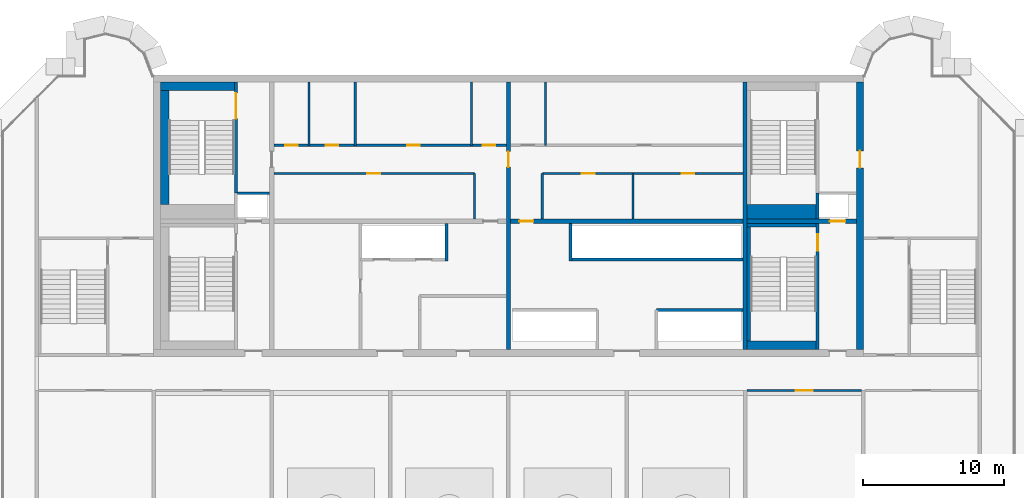
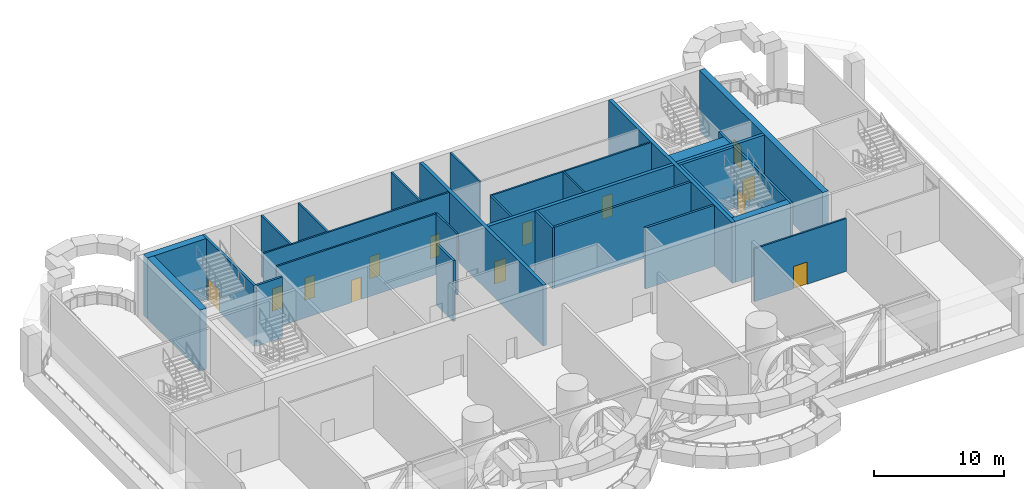
# One storey, part 4 of 15: 30 walls, 14 doors, 14 openings.
"""IFC4 building model written with IfcOpenShell, lengths in metres."""

from ifc_helpers import new_model, si_unit, direction, frame, frame_2d, origin, place, context, subcontext, project, spatial, rectangle, extrude, source, transform, mapped, material, layer, layer_set, type_object, element, fill, save


model = new_model("IFC4")

# Units and contexts
model_context = context("Model", 3, precision=1e-05, world=origin(), true_north=direction((0.0, 1.0)))
body_context = subcontext(model_context, "Body", "Model", "MODEL_VIEW")
ifc_project = project(units=[si_unit("LENGTHUNIT", "METRE"), si_unit("AREAUNIT", "SQUARE_METRE"), si_unit("VOLUMEUNIT", "CUBIC_METRE"), si_unit("PLANEANGLEUNIT", "RADIAN"), si_unit("MASSUNIT", "GRAM", prefix="KILO")], contexts=[model_context])

# Site, building, storey
site_placement = place(None, origin())
site = spatial("IfcSite", under=ifc_project, at=site_placement, CompositionType="ELEMENT")
building_placement = place(site_placement, origin())
building = spatial("IfcBuilding", under=site, at=building_placement, Name="Vanashikhar Sky Hotel", CompositionType="ELEMENT")
storey_placement = place(building_placement, frame((0.0, 0.0, 317.699951171875)))
storey = spatial("IfcBuildingStorey", under=building, at=storey_placement, Name="L76", CompositionType="ELEMENT", Elevation=317.699951171875)

# Wall, opening, door
ifc_material_1 = material(Name="Concrete M50", Category="concrete")
ifc_layer_1 = layer(ifc_material_1, 0.5)
ifc_layer_set_1 = layer_set([ifc_layer_1], Name="RC core shell wall 500 Concrete M50")
wall_type_1 = type_object("IfcWallType", Name="RC core shell wall 500 Concrete M50", PredefinedType="SHEAR", material=ifc_layer_set_1)
shared_shape_1 = source(origin(), body_context, "Body", "SweptSolid", [
    extrude(rectangle(XDim=19.0, YDim=0.5, at=frame_2d((9.5, 0.0))), origin(), (0.0, 0.0, 1.0), 5.719970703125),
])
wall_1_placement = place(storey_placement, frame((75.35009765625, 22.5, 0.0), z_axis=(0.0, 0.0, 1.0), x_axis=(0.0, 1.0, 0.0)))
wall_1 = element("IfcWall", 1, at=wall_1_placement, inside=storey, type_object=wall_type_1, Name="KW-L76-KE", PredefinedType="SHEAR", context=body_context, shape_type="MappedRepresentation", body=[
    mapped(shared_shape_1, transform((0.0, 0.0, 0.0), scale=1.0)),
])
shared_shape_2 = source(origin(), body_context, "Body", "SweptSolid", [
    extrude(rectangle(XDim=1.199951171875, YDim=2.10009765625, at=frame_2d((0.60009765625, 1.050048828125))), frame((0.0, 0.260009765625, 0.0), z_axis=(0.0, -1.0, 0.0), x_axis=(1.0, 0.0, 0.0)), (0.0, 0.0, 1.0), 0.52001953125),
])
opening_1_placement = place(wall_1_placement, frame((12.89990234375, 0.0, 0.0)))
opening_1 = element("IfcOpeningElement", 2, at=opening_1_placement, cuts=wall_1, Name="Opening DC-4-D", PredefinedType="OPENING", context=body_context, shape_type="MappedRepresentation", body=[
    mapped(shared_shape_2, transform((0.0, 0.0, 0.0), scale=1.0)),
])
ifc_material_2 = material(Name="Steel", Category="steel")
door_type_1 = type_object("IfcDoorType", Name="Service door 1200 FD120", OperationType="NOTDEFINED", PredefinedType="DOOR", material=ifc_material_2)
shared_shape_3 = source(origin(), body_context, "Body", "SweptSolid", [
    extrude(rectangle(XDim=1.199951171875, YDim=2.10009765625, at=frame_2d((0.60009765625, 1.050048828125))), frame((0.0, 0.02490234375, 0.0), z_axis=(0.0, -1.0, 0.0), x_axis=(1.0, 0.0, 0.0)), (0.0, 0.0, 1.0), 0.050048828125),
])
door_1_placement = place(opening_1_placement, origin())
door_1 = element("IfcDoor", 3, at=door_1_placement, inside=storey, type_object=door_type_1, Name="Service door 1200 FD120", OperationType="SINGLE_SWING_RIGHT", OverallHeight=2.10009765625, OverallWidth=1.199951171875, PredefinedType="DOOR", context=body_context, shape_type="MappedRepresentation", body=[
    mapped(shared_shape_3, transform((0.0, 0.0, 0.0), scale=1.0)),
])
fill(opening_1, door_1)

ifc_layer_2 = layer(ifc_material_1, 0.300048828125)
ifc_layer_set_2 = layer_set([ifc_layer_2], Name="RC core inner wall 300 Concrete M50")
wall_type_2 = type_object("IfcWallType", Name="RC core inner wall 300 Concrete M50", PredefinedType="SHEAR", material=ifc_layer_set_2)
shared_shape_4 = source(origin(), body_context, "Body", "SweptSolid", [
    extrude(rectangle(XDim=19.0, YDim=0.300048828125, at=frame_2d((9.5, 0.0))), origin(), (0.0, 0.0, 1.0), 5.719970703125),
])
wall_2_placement = place(storey_placement, frame((50.39990234375, 22.5, 0.0), z_axis=(0.0, 0.0, 1.0), x_axis=(0.0, 1.0, 0.0)))
wall_2 = element("IfcWall", 4, at=wall_2_placement, inside=storey, type_object=wall_type_2, Name="KW-L76-KX2", PredefinedType="SHEAR", context=body_context, shape_type="MappedRepresentation", body=[
    mapped(shared_shape_4, transform((0.0, 0.0, 0.0), scale=1.0)),
])
shared_shape_5 = source(origin(), body_context, "Body", "SweptSolid", [
    extrude(rectangle(XDim=1.10009765625, YDim=2.10009765625, at=frame_2d((0.550048828125, 1.050048828125))), frame((0.0, 0.16015625, 0.0), z_axis=(0.0, -1.0, 0.0), x_axis=(1.0, 0.0, 0.0)), (0.0, 0.0, 1.0), 0.320068359375),
])
opening_2_placement = place(wall_2_placement, frame((12.949951171875, 0.0, 0.0)))
opening_2 = element("IfcOpeningElement", 5, at=opening_2_placement, cuts=wall_2, Name="Opening DC-4-C", PredefinedType="OPENING", context=body_context, shape_type="MappedRepresentation", body=[
    mapped(shared_shape_5, transform((0.0, 0.0, 0.0), scale=1.0)),
])
door_type_2 = type_object("IfcDoorType", Name="Service door 1100 FD60", OperationType="NOTDEFINED", PredefinedType="DOOR", material=ifc_material_2)
shared_shape_6 = source(origin(), body_context, "Body", "SweptSolid", [
    extrude(rectangle(XDim=1.10009765625, YDim=2.10009765625, at=frame_2d((0.550048828125, 1.050048828125))), frame((0.0, 0.02490234375, 0.0), z_axis=(0.0, -1.0, 0.0), x_axis=(1.0, 0.0, 0.0)), (0.0, 0.0, 1.0), 0.050048828125),
])
door_2_placement = place(opening_2_placement, origin())
door_2 = element("IfcDoor", 6, at=door_2_placement, inside=storey, type_object=door_type_2, Name="Service door 1100 FD60", OperationType="SINGLE_SWING_RIGHT", OverallHeight=2.10009765625, OverallWidth=1.10009765625, PredefinedType="DOOR", context=body_context, shape_type="MappedRepresentation", body=[
    mapped(shared_shape_6, transform((0.0, 0.0, 0.0), scale=1.0)),
])
fill(opening_2, door_2)

# Wall
wall_3_placement = place(storey_placement, frame((67.199951171875, 22.5, 0.0), z_axis=(0.0, 0.0, 1.0), x_axis=(0.0, 1.0, 0.0)))
element("IfcWall", 7, at=wall_3_placement, inside=storey, type_object=wall_type_2, Name="KW-L76-KX3", PredefinedType="SHEAR", context=body_context, shape_type="MappedRepresentation", body=[
    mapped(shared_shape_4, transform((0.0, 0.0, 0.0), scale=1.0)),
])

# Wall, opening, door
shared_shape_7 = source(origin(), body_context, "Body", "SweptSolid", [
    extrude(rectangle(XDim=7.75, YDim=0.300048828125, at=frame_2d((3.875, 0.0))), origin(), (0.0, 0.0, 1.0), 5.719970703125),
])
wall_4_placement = place(storey_placement, frame((67.35009765625, 31.60009765625, 0.0), z_axis=(0.0, 0.0, 1.0), x_axis=(1.0, 0.0, 0.0)))
wall_4 = element("IfcWall", 8, at=wall_4_placement, inside=storey, type_object=wall_type_2, Name="KW-L76-KY4", PredefinedType="SHEAR", context=body_context, shape_type="MappedRepresentation", body=[
    mapped(shared_shape_7, transform((0.0, 0.0, 0.0), scale=1.0)),
])
opening_3_placement = place(wall_4_placement, frame((5.875, 0.0, 0.0)))
opening_3 = element("IfcOpeningElement", 9, at=opening_3_placement, cuts=wall_4, Name="Opening LD", PredefinedType="OPENING", context=body_context, shape_type="MappedRepresentation", body=[
    mapped(shared_shape_5, transform((0.0, 0.0, 0.0), scale=1.0)),
])
ifc_material_3 = material(Name="Stainless steel", Category="steel")
door_type_3 = type_object("IfcDoorType", Name="Lift landing door 1100", OperationType="NOTDEFINED", PredefinedType="DOOR", material=ifc_material_3)
door_3_placement = place(opening_3_placement, origin())
door_3 = element("IfcDoor", 10, at=door_3_placement, inside=storey, type_object=door_type_3, Name="Lift landing door 1100", OperationType="SLIDING_TO_RIGHT", OverallHeight=2.10009765625, OverallWidth=1.10009765625, PredefinedType="DOOR", context=body_context, shape_type="MappedRepresentation", body=[
    mapped(shared_shape_6, transform((0.0, 0.0, 0.0), scale=1.0)),
])
fill(opening_3, door_3)

shared_shape_8 = source(origin(), body_context, "Body", "SweptSolid", [
    extrude(rectangle(XDim=16.5, YDim=0.300048828125, at=frame_2d((8.25, 0.0))), origin(), (0.0, 0.0, 1.0), 5.719970703125),
])
wall_5_placement = place(storey_placement, frame((50.550048828125, 31.60009765625, 0.0), z_axis=(0.0, 0.0, 1.0), x_axis=(1.0, 0.0, 0.0)))
wall_5 = element("IfcWall", 11, at=wall_5_placement, inside=storey, type_object=wall_type_2, Name="KW-L76-KY3", PredefinedType="SHEAR", context=body_context, shape_type="MappedRepresentation", body=[
    mapped(shared_shape_8, transform((0.0, 0.0, 0.0), scale=1.0)),
])
shared_shape_9 = source(origin(), body_context, "Body", "SweptSolid", [
    extrude(rectangle(XDim=1.0, YDim=2.10009765625, at=frame_2d((0.5, 1.050048828125))), frame((0.0, 0.16015625, 0.0), z_axis=(0.0, -1.0, 0.0), x_axis=(1.0, 0.0, 0.0)), (0.0, 0.0, 1.0), 0.320068359375),
])
opening_4_placement = place(wall_5_placement, frame((0.625, 0.0, 0.0)))
opening_4 = element("IfcOpeningElement", 12, at=opening_4_placement, cuts=wall_5, Name="Opening DC-4", PredefinedType="OPENING", context=body_context, shape_type="MappedRepresentation", body=[
    mapped(shared_shape_9, transform((0.0, 0.0, 0.0), scale=1.0)),
])
door_type_4 = type_object("IfcDoorType", Name="Service door 1000 FD60", OperationType="NOTDEFINED", PredefinedType="DOOR", material=ifc_material_2)
shared_shape_10 = source(origin(), body_context, "Body", "SweptSolid", [
    extrude(rectangle(XDim=1.0, YDim=2.10009765625, at=frame_2d((0.5, 1.050048828125))), frame((0.0, 0.02490234375, 0.0), z_axis=(0.0, -1.0, 0.0), x_axis=(1.0, 0.0, 0.0)), (0.0, 0.0, 1.0), 0.050048828125),
])
door_4_placement = place(opening_4_placement, origin())
door_4 = element("IfcDoor", 13, at=door_4_placement, inside=storey, type_object=door_type_4, Name="Service door 1000 FD60", OperationType="SINGLE_SWING_RIGHT", OverallHeight=2.10009765625, OverallWidth=1.0, PredefinedType="DOOR", context=body_context, shape_type="MappedRepresentation", body=[
    mapped(shared_shape_10, transform((0.0, 0.0, 0.0), scale=1.0)),
])
fill(opening_4, door_4)

# Walls
ifc_material_4 = material(Name="Concrete M40", Category="concrete")
ifc_layer_3 = layer(ifc_material_4, 0.199951171875)
ifc_layer_set_3 = layer_set([ifc_layer_3], Name="Shaft wall 200")
wall_type_3 = type_object("IfcWallType", Name="Shaft wall 200", PredefinedType="SOLIDWALL", material=ifc_layer_set_3)
shared_shape_11 = source(origin(), body_context, "Body", "SweptSolid", [
    extrude(rectangle(XDim=2.64990234375, YDim=0.199951171875, at=frame_2d((1.324951171875, 0.0))), origin(), (0.0, 0.0, 1.0), 5.719970703125),
])
for number, where, z_axis, x_axis, name in (
    (14, (46.0, 28.800048828125, 0.0), (0.0, 0.0, 1.0), (0.0, 1.0, 0.0), "Shaft wall 200"),
    (15, (54.800048828125, 28.800048828125, 0.0), (0.0, 0.0, 1.0), (0.0, 1.0, 0.0), "Shaft wall 200"),
):
    element("IfcWall", number, at=place(storey_placement, frame(where, z_axis=z_axis, x_axis=x_axis)), inside=storey, type_object=wall_type_3, Name=name, PredefinedType="SOLIDWALL", context=body_context, shape_type="MappedRepresentation", body=[
        mapped(shared_shape_11, transform((0.0, 0.0, 0.0), scale=1.0)),
    ])
ifc_material_5 = material(Name="Gypsum board partition")
ifc_layer_4 = layer(ifc_material_5, 0.14990234375)
ifc_layer_set_4 = layer_set([ifc_layer_4], Name="Service partition 150")
wall_type_4 = type_object("IfcWallType", Name="Service partition 150", PredefinedType="PARTITIONING", material=ifc_layer_set_4)
shared_shape_12 = source(origin(), body_context, "Body", "SweptSolid", [
    extrude(rectangle(XDim=3.25, YDim=0.14990234375, at=frame_2d((1.625, 0.0))), origin(), (0.0, 0.0, 1.0), 5.719970703125),
])
for number, where, z_axis, x_axis, name in (
    (16, (48.0, 31.75, 0.0), (0.0, 0.0, 1.0), (0.0, 1.0, 0.0), "Service partition 150"),
    (17, (52.800048828125, 31.75, 0.0), (0.0, 0.0, 1.0), (0.0, 1.0, 0.0), "Service partition 150"),
    (18, (59.25390625, 31.75, 0.0), (0.0, 0.0, 1.0), (0.0, 1.0, 0.0), "Service partition 150"),
):
    element("IfcWall", number, at=place(storey_placement, frame(where, z_axis=z_axis, x_axis=x_axis)), inside=storey, type_object=wall_type_4, Name=name, PredefinedType="PARTITIONING", context=body_context, shape_type="MappedRepresentation", body=[
        mapped(shared_shape_12, transform((0.0, 0.0, 0.0), scale=1.0)),
    ])

# Wall, opening, door
shared_shape_13 = source(origin(), body_context, "Body", "SweptSolid", [
    extrude(rectangle(XDim=14.25, YDim=0.14990234375, at=frame_2d((7.125, 0.0))), origin(), (0.0, 0.0, 1.0), 5.719970703125),
])
wall_6_placement = place(storey_placement, frame((33.75, 35.0, 0.0), z_axis=(0.0, 0.0, 1.0), x_axis=(1.0, 0.0, 0.0)))
wall_6 = element("IfcWall", 19, at=wall_6_placement, inside=storey, type_object=wall_type_4, Name="Service partition 150", PredefinedType="PARTITIONING", context=body_context, shape_type="MappedRepresentation", body=[
    mapped(shared_shape_13, transform((0.0, 0.0, 0.0), scale=1.0)),
])
shared_shape_14 = source(origin(), body_context, "Body", "SweptSolid", [
    extrude(rectangle(XDim=0.89990234375, YDim=2.10009765625, at=frame_2d((0.449951171875, 1.050048828125))), frame((0.0, 0.0849609375, 0.0), z_axis=(0.0, -1.0, 0.0), x_axis=(1.0, 0.0, 0.0)), (0.0, 0.0, 1.0), 0.169921875),
])
opening_5_placement = place(wall_6_placement, frame((6.636962890625, 0.0, 0.0)))
opening_5 = element("IfcOpeningElement", 20, at=opening_5_placement, cuts=wall_6, Name="Opening DC-4-A", PredefinedType="OPENING", context=body_context, shape_type="MappedRepresentation", body=[
    mapped(shared_shape_14, transform((0.0, 0.0, 0.0), scale=1.0)),
])
door_type_5 = type_object("IfcDoorType", Name="Service door 900 FD60", OperationType="NOTDEFINED", PredefinedType="DOOR", material=ifc_material_2)
shared_shape_15 = source(origin(), body_context, "Body", "SweptSolid", [
    extrude(rectangle(XDim=0.89990234375, YDim=2.10009765625, at=frame_2d((0.449951171875, 1.050048828125))), frame((0.0, 0.02490234375, 0.0), z_axis=(0.0, -1.0, 0.0), x_axis=(1.0, 0.0, 0.0)), (0.0, 0.0, 1.0), 0.050048828125),
])
door_5_placement = place(opening_5_placement, origin())
door_5 = element("IfcDoor", 21, at=door_5_placement, inside=storey, type_object=door_type_5, Name="Service door 900 FD60", OperationType="SINGLE_SWING_LEFT", OverallHeight=2.10009765625, OverallWidth=0.89990234375, PredefinedType="DOOR", context=body_context, shape_type="MappedRepresentation", body=[
    mapped(shared_shape_15, transform((0.0, 0.0, 0.0), scale=1.0)),
])
fill(opening_5, door_5)

# Wall, openings, doors
wall_7_placement = place(storey_placement, frame((67.050048828125, 35.0, 0.0), z_axis=(0.0, 0.0, 1.0), x_axis=(-1.0, 0.0, 0.0)))
wall_7 = element("IfcWall", 22, at=wall_7_placement, inside=storey, type_object=wall_type_4, Name="Service partition 150", PredefinedType="PARTITIONING", context=body_context, shape_type="MappedRepresentation", body=[
    mapped(shared_shape_13, transform((0.0, 0.0, 0.0), scale=1.0)),
])
opening_6_placement = place(wall_7_placement, frame((3.447998046875, 0.0, 0.0)))
opening_6 = element("IfcOpeningElement", 23, at=opening_6_placement, cuts=wall_7, Name="Opening DC-4-A", PredefinedType="OPENING", context=body_context, shape_type="MappedRepresentation", body=[
    mapped(shared_shape_14, transform((0.0, 0.0, 0.0), scale=1.0)),
])
opening_7_placement = place(wall_7_placement, frame((10.535888671875, 0.0, 0.0)))
opening_7 = element("IfcOpeningElement", 24, at=opening_7_placement, cuts=wall_7, Name="Opening DC-4-A", PredefinedType="OPENING", context=body_context, shape_type="MappedRepresentation", body=[
    mapped(shared_shape_14, transform((0.0, 0.0, 0.0), scale=1.0)),
])
door_6_placement = place(opening_6_placement, origin())
door_6 = element("IfcDoor", 25, at=door_6_placement, inside=storey, type_object=door_type_5, Name="Service door 900 FD60", OperationType="SINGLE_SWING_RIGHT", OverallHeight=2.10009765625, OverallWidth=0.89990234375, PredefinedType="DOOR", context=body_context, shape_type="MappedRepresentation", body=[
    mapped(shared_shape_15, transform((0.0, 0.0, 0.0), scale=1.0)),
])
fill(opening_6, door_6)
door_7_placement = place(opening_7_placement, origin())
door_7 = element("IfcDoor", 26, at=door_7_placement, inside=storey, type_object=door_type_5, Name="Service door 900 FD60", OperationType="SINGLE_SWING_RIGHT", OverallHeight=2.10009765625, OverallWidth=0.89990234375, PredefinedType="DOOR", context=body_context, shape_type="MappedRepresentation", body=[
    mapped(shared_shape_15, transform((0.0, 0.0, 0.0), scale=1.0)),
])
fill(opening_7, door_7)

shared_shape_16 = source(origin(), body_context, "Body", "SweptSolid", [
    extrude(rectangle(XDim=16.5, YDim=0.14990234375, at=frame_2d((8.25, 0.0))), origin(), (0.0, 0.0, 1.0), 5.719970703125),
])
wall_8_placement = place(storey_placement, frame((33.75, 37.0, 0.0), z_axis=(0.0, 0.0, 1.0), x_axis=(1.0, 0.0, 0.0)))
wall_8 = element("IfcWall", 27, at=wall_8_placement, inside=storey, type_object=wall_type_4, Name="Service partition 150", PredefinedType="PARTITIONING", context=body_context, shape_type="MappedRepresentation", body=[
    mapped(shared_shape_16, transform((0.0, 0.0, 0.0), scale=1.0)),
])
opening_8_placement = place(wall_8_placement, frame((0.787109375, 0.0, 0.0)))
opening_8 = element("IfcOpeningElement", 28, at=opening_8_placement, cuts=wall_8, Name="Opening DC-4-A", PredefinedType="OPENING", context=body_context, shape_type="MappedRepresentation", body=[
    mapped(shared_shape_14, transform((0.0, 0.0, 0.0), scale=1.0)),
])
opening_9_placement = place(wall_8_placement, frame((3.675048828125, 0.0, 0.0)))
opening_9 = element("IfcOpeningElement", 29, at=opening_9_placement, cuts=wall_8, Name="Opening DC-4-A", PredefinedType="OPENING", context=body_context, shape_type="MappedRepresentation", body=[
    mapped(shared_shape_14, transform((0.0, 0.0, 0.0), scale=1.0)),
])
opening_10_placement = place(wall_8_placement, frame((9.449951171875, 0.0, 0.0)))
opening_10 = element("IfcOpeningElement", 30, at=opening_10_placement, cuts=wall_8, Name="Opening DC-4-A", PredefinedType="OPENING", context=body_context, shape_type="MappedRepresentation", body=[
    mapped(shared_shape_14, transform((0.0, 0.0, 0.0), scale=1.0)),
])
opening_11_placement = place(wall_8_placement, frame((14.81298828125, 0.0, 0.0)))
opening_11 = element("IfcOpeningElement", 31, at=opening_11_placement, cuts=wall_8, Name="Opening DC-4-A", PredefinedType="OPENING", context=body_context, shape_type="MappedRepresentation", body=[
    mapped(shared_shape_14, transform((0.0, 0.0, 0.0), scale=1.0)),
])
door_8_placement = place(opening_8_placement, origin())
door_8 = element("IfcDoor", 32, at=door_8_placement, inside=storey, type_object=door_type_5, Name="Service door 900 FD60", OperationType="SINGLE_SWING_RIGHT", OverallHeight=2.10009765625, OverallWidth=0.89990234375, PredefinedType="DOOR", context=body_context, shape_type="MappedRepresentation", body=[
    mapped(shared_shape_15, transform((0.0, 0.0, 0.0), scale=1.0)),
])
fill(opening_8, door_8)
door_9_placement = place(opening_9_placement, origin())
door_9 = element("IfcDoor", 33, at=door_9_placement, inside=storey, type_object=door_type_5, Name="Service door 900 FD60", OperationType="SINGLE_SWING_RIGHT", OverallHeight=2.10009765625, OverallWidth=0.89990234375, PredefinedType="DOOR", context=body_context, shape_type="MappedRepresentation", body=[
    mapped(shared_shape_15, transform((0.0, 0.0, 0.0), scale=1.0)),
])
fill(opening_9, door_9)
door_10_placement = place(opening_10_placement, origin())
door_10 = element("IfcDoor", 34, at=door_10_placement, inside=storey, type_object=door_type_5, Name="Service door 900 FD60", OperationType="SINGLE_SWING_RIGHT", OverallHeight=2.10009765625, OverallWidth=0.89990234375, PredefinedType="DOOR", context=body_context, shape_type="MappedRepresentation", body=[
    mapped(shared_shape_15, transform((0.0, 0.0, 0.0), scale=1.0)),
])
fill(opening_10, door_10)
door_11_placement = place(opening_11_placement, origin())
door_11 = element("IfcDoor", 35, at=door_11_placement, inside=storey, type_object=door_type_5, Name="Service door 900 FD60", OperationType="SINGLE_SWING_LEFT", OverallHeight=2.10009765625, OverallWidth=0.89990234375, PredefinedType="DOOR", context=body_context, shape_type="MappedRepresentation", body=[
    mapped(shared_shape_15, transform((0.0, 0.0, 0.0), scale=1.0)),
])
fill(opening_11, door_11)

# Walls
shared_shape_17 = source(origin(), body_context, "Body", "SweptSolid", [
    extrude(rectangle(XDim=4.5, YDim=0.14990234375, at=frame_2d((2.25, 0.0))), origin(), (0.0, 0.0, 1.0), 5.719970703125),
])
for number, where, z_axis, x_axis, name in (
    (36, (36.22509765625, 37.0, 0.0), (0.0, 0.0, 1.0), (0.0, 1.0, 0.0), "Service partition 150"),
    (37, (39.52490234375, 37.0, 0.0), (0.0, 0.0, 1.0), (0.0, 1.0, 0.0), "Service partition 150"),
    (38, (47.77490234375, 37.0, 0.0), (0.0, 0.0, 1.0), (0.0, 1.0, 0.0), "Service partition 150"),
    (39, (53.02490234375, 37.0, 0.0), (0.0, 0.0, 1.0), (0.0, 1.0, 0.0), "Service partition 150"),
):
    element("IfcWall", number, at=place(storey_placement, frame(where, z_axis=z_axis, x_axis=x_axis)), inside=storey, type_object=wall_type_4, Name=name, PredefinedType="PARTITIONING", context=body_context, shape_type="MappedRepresentation", body=[
        mapped(shared_shape_17, transform((0.0, 0.0, 0.0), scale=1.0)),
    ])
shared_shape_18 = source(origin(), body_context, "Body", "SweptSolid", [
    extrude(rectangle(XDim=6.150146484375, YDim=0.199951171875, at=frame_2d((3.0751953125, 0.0))), origin(), (0.0, 0.0, 1.0), 5.719970703125),
])
wall_9_placement = place(storey_placement, frame((67.050048828125, 25.300048828125, 0.0), z_axis=(0.0, 0.0, 1.0), x_axis=(-1.0, 0.0, 0.0)))
element("IfcWall", 40, at=wall_9_placement, inside=storey, type_object=wall_type_3, Name="Shaft wall 200", PredefinedType="SOLIDWALL", context=body_context, shape_type="MappedRepresentation", body=[
    mapped(shared_shape_18, transform((0.0, 0.0, 0.0), scale=1.0)),
])
shared_shape_19 = source(origin(), body_context, "Body", "SweptSolid", [
    extrude(rectangle(XDim=12.150146484375, YDim=0.199951171875, at=frame_2d((6.0751953125, 0.0))), origin(), (0.0, 0.0, 1.0), 5.719970703125),
])
wall_10_placement = place(storey_placement, frame((67.050048828125, 28.89990234375, 0.0), z_axis=(0.0, 0.0, 1.0), x_axis=(-1.0, 0.0, 0.0)))
element("IfcWall", 41, at=wall_10_placement, inside=storey, type_object=wall_type_3, Name="Shaft wall 200", PredefinedType="SOLIDWALL", context=body_context, shape_type="MappedRepresentation", body=[
    mapped(shared_shape_19, transform((0.0, 0.0, 0.0), scale=1.0)),
])

# Wall, opening, door
ifc_layer_5 = layer(ifc_material_1, 0.199951171875)
ifc_layer_set_5 = layer_set([ifc_layer_5], Name="Stair wall 200")
wall_type_5 = type_object("IfcWallType", Name="Stair wall 200", PredefinedType="SOLIDWALL", material=ifc_layer_set_5)
shared_shape_20 = source(origin(), body_context, "Body", "SweptSolid", [
    extrude(rectangle(XDim=8.949951171875, YDim=0.199951171875, at=frame_2d((4.47509765625, 0.0))), origin(), (0.0, 0.0, 1.0), 5.719970703125),
])
wall_11_placement = place(storey_placement, frame((72.35009765625, 22.5, 0.0), z_axis=(0.0, 0.0, 1.0), x_axis=(0.0, 1.0, 0.0)))
wall_11 = element("IfcWall", 42, at=wall_11_placement, inside=storey, type_object=wall_type_5, Name="Stair wall 200", PredefinedType="SOLIDWALL", context=body_context, shape_type="MappedRepresentation", body=[
    mapped(shared_shape_20, transform((0.0, 0.0, 0.0), scale=1.0)),
])
shared_shape_21 = source(origin(), body_context, "Body", "SweptSolid", [
    extrude(rectangle(XDim=1.199951171875, YDim=2.10009765625, at=frame_2d((0.60009765625, 1.050048828125))), frame((0.0, 0.10986328125, 0.0), z_axis=(0.0, -1.0, 0.0), x_axis=(1.0, 0.0, 0.0)), (0.0, 0.0, 1.0), 0.219970703125),
])
opening_12_placement = place(wall_11_placement, frame((7.0, 0.0, 0.0)))
opening_12 = element("IfcOpeningElement", 43, at=opening_12_placement, cuts=wall_11, Name="Opening DC-1", PredefinedType="OPENING", context=body_context, shape_type="MappedRepresentation", body=[
    mapped(shared_shape_21, transform((0.0, 0.0, 0.0), scale=1.0)),
])
door_type_6 = type_object("IfcDoorType", Name="Stair door 1200 FD120", OperationType="NOTDEFINED", PredefinedType="DOOR", material=ifc_material_2)
door_12_placement = place(opening_12_placement, origin())
door_12 = element("IfcDoor", 44, at=door_12_placement, inside=storey, type_object=door_type_6, Name="Stair door 1200 FD120", OperationType="SINGLE_SWING_LEFT", OverallHeight=2.10009765625, OverallWidth=1.199951171875, PredefinedType="DOOR", context=body_context, shape_type="MappedRepresentation", body=[
    mapped(shared_shape_3, transform((0.0, 0.0, 0.0), scale=1.0)),
])
fill(opening_12, door_12)

# Walls
shared_shape_22 = source(origin(), body_context, "Body", "SweptSolid", [
    extrude(rectangle(XDim=1.85009765625, YDim=0.199951171875, at=frame_2d((0.925048828125, 0.0))), origin(), (0.0, 0.0, 1.0), 5.719970703125),
])
wall_12_placement = place(storey_placement, frame((72.35009765625, 31.75, 0.0), z_axis=(0.0, 0.0, 1.0), x_axis=(0.0, 1.0, 0.0)))
element("IfcWall", 45, at=wall_12_placement, inside=storey, type_object=wall_type_3, Name="Shaft wall 200", PredefinedType="SOLIDWALL", context=body_context, shape_type="MappedRepresentation", body=[
    mapped(shared_shape_22, transform((0.0, 0.0, 0.0), scale=1.0)),
])
shared_shape_23 = source(origin(), body_context, "Body", "SweptSolid", [
    extrude(rectangle(XDim=2.300048828125, YDim=0.199951171875, at=frame_2d((1.14990234375, 0.0))), origin(), (0.0, 0.0, 1.0), 5.719970703125),
])
wall_13_placement = place(storey_placement, frame((31.14990234375, 33.60009765625, 0.0), z_axis=(0.0, 0.0, 1.0), x_axis=(1.0, 0.0, 0.0)))
element("IfcWall", 46, at=wall_13_placement, inside=storey, type_object=wall_type_3, Name="Shaft wall 200", PredefinedType="SOLIDWALL", context=body_context, shape_type="MappedRepresentation", body=[
    mapped(shared_shape_23, transform((0.0, 0.0, 0.0), scale=1.0)),
])

# Wall, opening, door
shared_shape_24 = source(origin(), body_context, "Body", "SweptSolid", [
    extrude(rectangle(XDim=7.89990234375, YDim=0.199951171875, at=frame_2d((3.949951171875, 0.0))), origin(), (0.0, 0.0, 1.0), 5.719970703125),
])
wall_14_placement = place(storey_placement, frame((31.050048828125, 33.60009765625, 0.0), z_axis=(0.0, 0.0, 1.0), x_axis=(0.0, 1.0, 0.0)))
wall_14 = element("IfcWall", 47, at=wall_14_placement, inside=storey, type_object=wall_type_5, Name="Stair wall 200", PredefinedType="SOLIDWALL", context=body_context, shape_type="MappedRepresentation", body=[
    mapped(shared_shape_24, transform((0.0, 0.0, 0.0), scale=1.0)),
])
shared_shape_25 = source(origin(), body_context, "Body", "SweptSolid", [
    extrude(rectangle(XDim=1.800048828125, YDim=2.10009765625, at=frame_2d((0.89990234375, 1.050048828125))), frame((0.0, 0.10986328125, 0.0), z_axis=(0.0, -1.0, 0.0), x_axis=(1.0, 0.0, 0.0)), (0.0, 0.0, 1.0), 0.219970703125),
])
opening_13_placement = place(wall_14_placement, frame((5.300048828125, 0.0, 0.0)))
opening_13 = element("IfcOpeningElement", 48, at=opening_13_placement, cuts=wall_14, Name="Opening DC-1-A", PredefinedType="OPENING", context=body_context, shape_type="MappedRepresentation", body=[
    mapped(shared_shape_25, transform((0.0, 0.0, 0.0), scale=1.0)),
])
door_type_7 = type_object("IfcDoorType", Name="Stair door 1800 FD120", OperationType="NOTDEFINED", PredefinedType="DOOR", material=ifc_material_2)
shared_shape_26 = source(origin(), body_context, "Body", "SweptSolid", [
    extrude(rectangle(XDim=1.800048828125, YDim=2.10009765625, at=frame_2d((0.89990234375, 1.050048828125))), frame((0.0, 0.02490234375, 0.0), z_axis=(0.0, -1.0, 0.0), x_axis=(1.0, 0.0, 0.0)), (0.0, 0.0, 1.0), 0.050048828125),
])
door_13_placement = place(opening_13_placement, origin())
door_13 = element("IfcDoor", 49, at=door_13_placement, inside=storey, type_object=door_type_7, Name="Stair door 1800 FD120", OperationType="SINGLE_SWING_LEFT", OverallHeight=2.10009765625, OverallWidth=1.800048828125, PredefinedType="DOOR", context=body_context, shape_type="MappedRepresentation", body=[
    mapped(shared_shape_26, transform((0.0, 0.0, 0.0), scale=1.0)),
])
fill(opening_13, door_13)

# Walls
ifc_layer_6 = layer(ifc_material_1, 0.60009765625)
ifc_layer_set_6 = layer_set([ifc_layer_6], Name="Stair infill wall 600")
wall_type_6 = type_object("IfcWallType", Name="Stair infill wall 600", PredefinedType="SOLIDWALL", material=ifc_layer_set_6)
shared_shape_27 = source(origin(), body_context, "Body", "SweptSolid", [
    extrude(rectangle(XDim=5.25, YDim=0.60009765625, at=frame_2d((2.625, 0.0))), origin(), (0.0, 0.0, 1.0), 5.719970703125),
])
wall_15_placement = place(storey_placement, frame((25.699951171875, 41.199951171875, 0.0), z_axis=(0.0, 0.0, 1.0), x_axis=(1.0, 0.0, 0.0)))
element("IfcWall", 50, at=wall_15_placement, inside=storey, type_object=wall_type_6, Name="Stair infill wall 600", PredefinedType="SOLIDWALL", context=body_context, shape_type="MappedRepresentation", body=[
    mapped(shared_shape_27, transform((0.0, 0.0, 0.0), scale=1.0)),
])
shared_shape_28 = source(origin(), body_context, "Body", "SweptSolid", [
    extrude(rectangle(XDim=8.099853515625, YDim=0.60009765625, at=frame_2d((4.0498046875, 0.0))), origin(), (0.0, 0.0, 1.0), 5.719970703125),
])
wall_16_placement = place(storey_placement, frame((26.0, 32.800048828125, 0.0), z_axis=(0.0, 0.0, 1.0), x_axis=(0.0, 1.0, 0.0)))
element("IfcWall", 51, at=wall_16_placement, inside=storey, type_object=wall_type_6, Name="Stair infill wall 600", PredefinedType="SOLIDWALL", context=body_context, shape_type="MappedRepresentation", body=[
    mapped(shared_shape_28, transform((0.0, 0.0, 0.0), scale=1.0)),
])
shared_shape_29 = source(origin(), body_context, "Body", "SweptSolid", [
    extrude(rectangle(XDim=4.89990234375, YDim=0.60009765625, at=frame_2d((2.449951171875, 0.0))), origin(), (0.0, 0.0, 1.0), 5.719970703125),
])
wall_17_placement = place(storey_placement, frame((67.35009765625, 22.800048828125, 0.0), z_axis=(0.0, 0.0, 1.0), x_axis=(1.0, 0.0, 0.0)))
element("IfcWall", 52, at=wall_17_placement, inside=storey, type_object=wall_type_6, Name="Stair infill wall 600", PredefinedType="SOLIDWALL", context=body_context, shape_type="MappedRepresentation", body=[
    mapped(shared_shape_29, transform((0.0, 0.0, 0.0), scale=1.0)),
])
ifc_layer_7 = layer(ifc_material_1, 0.25)
ifc_layer_set_7 = layer_set([ifc_layer_7], Name="Stair infill wall 250")
wall_type_7 = type_object("IfcWallType", Name="Stair infill wall 250", PredefinedType="SOLIDWALL", material=ifc_layer_set_7)
shared_shape_30 = source(origin(), body_context, "Body", "SweptSolid", [
    extrude(rectangle(XDim=4.89990234375, YDim=0.25, at=frame_2d((2.449951171875, 0.0))), origin(), (0.0, 0.0, 1.0), 5.719970703125),
])
wall_18_placement = place(storey_placement, frame((67.35009765625, 31.324951171875, 0.0), z_axis=(0.0, 0.0, 1.0), x_axis=(1.0, 0.0, 0.0)))
element("IfcWall", 53, at=wall_18_placement, inside=storey, type_object=wall_type_7, Name="Stair infill wall 250", PredefinedType="SOLIDWALL", context=body_context, shape_type="MappedRepresentation", body=[
    mapped(shared_shape_30, transform((0.0, 0.0, 0.0), scale=1.0)),
])
shared_shape_31 = source(origin(), body_context, "Body", "SweptSolid", [
    extrude(rectangle(XDim=8.099853515625, YDim=0.25, at=frame_2d((4.0498046875, 0.0))), origin(), (0.0, 0.0, 1.0), 5.719970703125),
])
wall_19_placement = place(storey_placement, frame((67.47509765625, 23.10009765625, 0.0), z_axis=(0.0, 0.0, 1.0), x_axis=(0.0, 1.0, 0.0)))
element("IfcWall", 54, at=wall_19_placement, inside=storey, type_object=wall_type_7, Name="Stair infill wall 250", PredefinedType="SOLIDWALL", context=body_context, shape_type="MappedRepresentation", body=[
    mapped(shared_shape_31, transform((0.0, 0.0, 0.0), scale=1.0)),
])
ifc_layer_8 = layer(ifc_material_1, 1.050048828125)
ifc_layer_set_8 = layer_set([ifc_layer_8], Name="Stair infill wall 1050")
wall_type_8 = type_object("IfcWallType", Name="Stair infill wall 1050", PredefinedType="SOLIDWALL", material=ifc_layer_set_8)
shared_shape_32 = source(origin(), body_context, "Body", "SweptSolid", [
    extrude(rectangle(XDim=4.89990234375, YDim=1.050048828125, at=frame_2d((2.449951171875, 0.0))), origin(), (0.0, 0.0, 1.0), 5.719970703125),
])
wall_20_placement = place(storey_placement, frame((67.35009765625, 32.27490234375, 0.0), z_axis=(0.0, 0.0, 1.0), x_axis=(1.0, 0.0, 0.0)))
element("IfcWall", 55, at=wall_20_placement, inside=storey, type_object=wall_type_8, Name="Stair infill wall 1050", PredefinedType="SOLIDWALL", context=body_context, shape_type="MappedRepresentation", body=[
    mapped(shared_shape_32, transform((0.0, 0.0, 0.0), scale=1.0)),
])

# Wall, opening, door
shared_shape_33 = source(origin(), body_context, "Body", "SweptSolid", [
    extrude(rectangle(XDim=8.150146484375, YDim=0.14990234375, at=frame_2d((4.0751953125, 0.0))), origin(), (0.0, 0.0, 1.0), 4.969970703125),
])
wall_21_placement = place(storey_placement, frame((67.324951171875, 19.60009765625, 0.0), z_axis=(0.0, 0.0, 1.0), x_axis=(1.0, 0.0, 0.0)))
wall_21 = element("IfcWall", 56, at=wall_21_placement, inside=storey, type_object=wall_type_4, Name="Service partition 150", PredefinedType="PARTITIONING", context=body_context, shape_type="MappedRepresentation", body=[
    mapped(shared_shape_33, transform((0.0, 0.0, 0.0), scale=1.0)),
])
shared_shape_34 = source(origin(), body_context, "Body", "SweptSolid", [
    extrude(rectangle(XDim=1.199951171875, YDim=2.10009765625, at=frame_2d((0.60009765625, 1.050048828125))), frame((0.0, 0.0849609375, 0.0), z_axis=(0.0, -1.0, 0.0), x_axis=(1.0, 0.0, 0.0)), (0.0, 0.0, 1.0), 0.169921875),
])
opening_14_placement = place(wall_21_placement, frame((3.47509765625, 0.0, 0.0)))
opening_14 = element("IfcOpeningElement", 57, at=opening_14_placement, cuts=wall_21, Name="Opening DC-4-D", PredefinedType="OPENING", context=body_context, shape_type="MappedRepresentation", body=[
    mapped(shared_shape_34, transform((0.0, 0.0, 0.0), scale=1.0)),
])
door_14_placement = place(opening_14_placement, origin())
door_14 = element("IfcDoor", 58, at=door_14_placement, inside=storey, type_object=door_type_1, Name="Service door 1200 FD120", OperationType="SINGLE_SWING_LEFT", OverallHeight=2.10009765625, OverallWidth=1.199951171875, PredefinedType="DOOR", context=body_context, shape_type="MappedRepresentation", body=[
    mapped(shared_shape_3, transform((0.0, 0.0, 0.0), scale=1.0)),
])
fill(opening_14, door_14)

save(model, "model.ifc")
